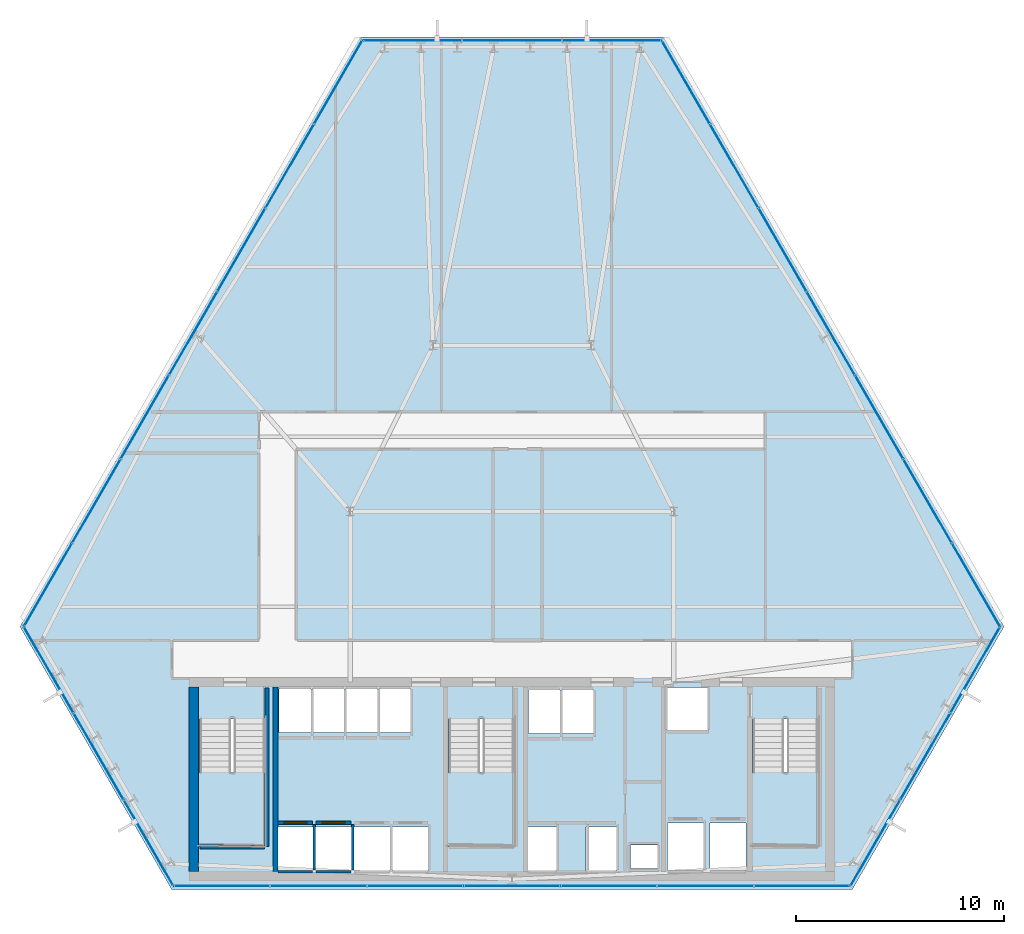
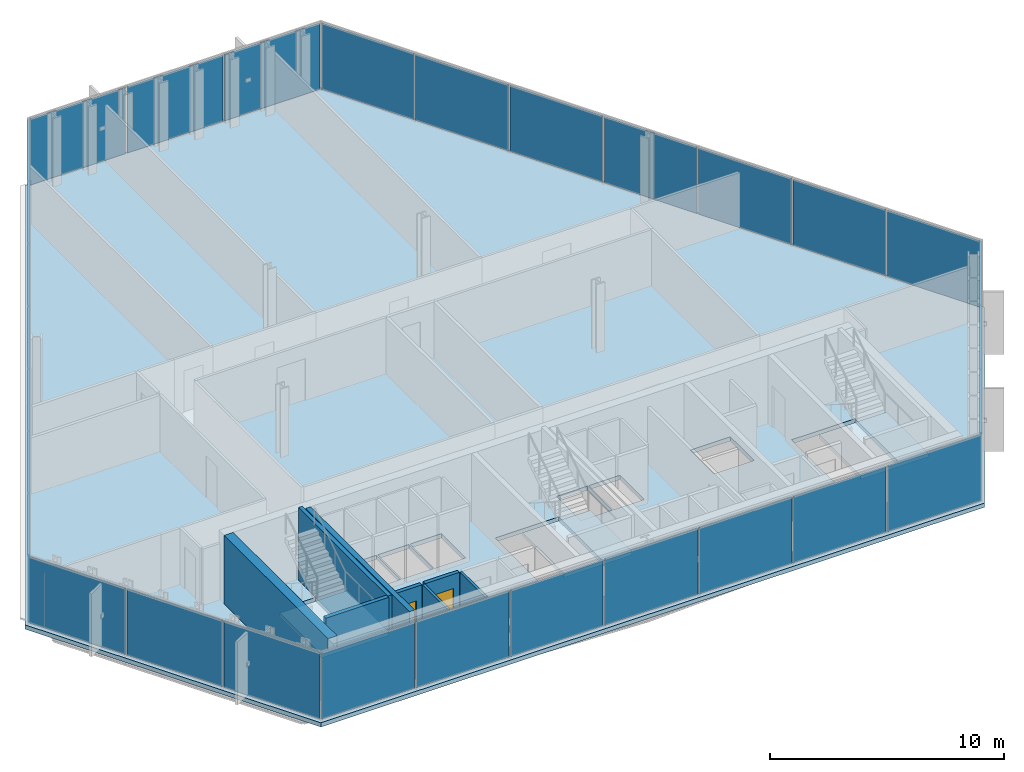
# One storey, part 26 of 33: 30 plates, 10 walls, 4 slabs, 2 doors, 2 openings, 9 elements without a shape of their own.
"""IFC4 building model written with IfcOpenShell, lengths in metres."""

import ifcopenshell
import ifcopenshell.guid

model = None  # the IFC model being written
_history = None  # IfcOwnerHistory: only IFC2X3 demands one
_inside = {}  # id of a spatial element -> (the spatial element, [elements in it])
_under = {}  # id of a project, library or spatial element -> (it, [spatial elements below it])
_declared = {}  # id of a project -> (the project, [libraries it declares])
_typed = {}  # id of a type object -> (the type object, [elements of that type])
_made_of = {}  # id of a material, layer set ... -> (it, [elements and type objects made of it])


def new_model(schema):
    """Start an empty IFC model of exactly this schema.

    Asked for "IFC4X3", IfcOpenShell would pick the latest addendum, in which some entities
    have other attributes; the version numbers below select the first issue.
    IFC2X3 requires an IfcOwnerHistory on every rooted entity: one is made here for all.
    """
    global model, _history
    if schema == "IFC4X3":
        model = ifcopenshell.file(schema_version=(4, 3, 0, 0))
    else:
        model = ifcopenshell.file(schema=schema)
    _inside.clear()
    _under.clear()
    _declared.clear()
    _typed.clear()
    _made_of.clear()
    _history = None
    if model.schema == "IFC2X3":
        org = make("IfcOrganization", Name="unknown")
        user = make(
            "IfcPersonAndOrganization",
            ThePerson=make("IfcPerson", FamilyName="unknown"),
            TheOrganization=org,
        )
        app = make(
            "IfcApplication",
            ApplicationDeveloper=org,
            Version="unknown",
            ApplicationFullName="unknown",
            ApplicationIdentifier="unknown",
        )
        _history = make(
            "IfcOwnerHistory",
            OwningUser=user,
            OwningApplication=app,
            ChangeAction="ADDED",
            CreationDate=0,
        )
    return model


def make(cls, **values):
    """One entity of the class cls with the attributes given. An attribute that is None is left unset."""
    return model.create_entity(
        cls, **{name: value for name, value in values.items() if value is not None}
    )


def rooted(cls, **values):
    """An entity with a GlobalId (a new one), such as an element, a storey or a relation."""
    return make(cls, GlobalId=ifcopenshell.guid.new(), OwnerHistory=_history, **values)


def si_unit(unit_type, name, prefix=None):
    """IfcSIUnit, for example si_unit("LENGTHUNIT", "METRE", prefix="MILLI")."""
    return make("IfcSIUnit", UnitType=unit_type, Prefix=prefix, Name=name)


def assignment(units):
    """IfcUnitAssignment: the units of a project."""
    return None if units is None else make("IfcUnitAssignment", Units=units)


def point(xyz):
    """IfcCartesianPoint."""
    return None if xyz is None else make("IfcCartesianPoint", Coordinates=xyz)


def direction(xyz):
    """IfcDirection."""
    return None if xyz is None else make("IfcDirection", DirectionRatios=xyz)


def frame(location, z_axis=None, x_axis=None):
    """IfcAxis2Placement3D, a coordinate frame: its origin and axes. An axis left out is left unset."""
    return make(
        "IfcAxis2Placement3D",
        Location=point(location),
        Axis=direction(z_axis),
        RefDirection=direction(x_axis),
    )


def frame_2d(location, x_axis=None):
    """IfcAxis2Placement2D, a coordinate frame in the plane: its origin and x axis."""
    return make(
        "IfcAxis2Placement2D", Location=point(location), RefDirection=direction(x_axis)
    )


def origin():
    """The frame at (0, 0, 0) with its axes left unset."""
    return frame((0.0, 0.0, 0.0))


def origin_2d():
    """The frame at (0, 0) in the plane with its x axis left unset."""
    return frame_2d((0.0, 0.0))


def place(relative_to, where):
    """IfcLocalPlacement: puts the frame where relative to a parent placement (None: the world)."""
    return make(
        "IfcLocalPlacement", PlacementRelTo=relative_to, RelativePlacement=where
    )


def context(
    kind, dimensions, precision=None, world=None, true_north=None, identifier=None
):
    """IfcGeometricRepresentationContext, for example the 3D "Model" context."""
    return make(
        "IfcGeometricRepresentationContext",
        ContextIdentifier=identifier,
        ContextType=kind,
        CoordinateSpaceDimension=dimensions,
        Precision=precision,
        WorldCoordinateSystem=world,
        TrueNorth=true_north,
    )


def subcontext(parent, identifier, kind, view, scale=None):
    """IfcGeometricRepresentationSubContext, for example "Body" below "Model"."""
    return make(
        "IfcGeometricRepresentationSubContext",
        ContextIdentifier=identifier,
        ContextType=kind,
        ParentContext=parent,
        TargetScale=scale,
        TargetView=view,
    )


def project(units=None, contexts=None):
    """IfcProject with its units and contexts."""
    return rooted(
        "IfcProject",
        Name="project",
        RepresentationContexts=contexts,
        UnitsInContext=assignment(units),
    )


def spatial(cls, under=None, at=None, **own):
    """A site, building, storey or space (cls), placed at a placement, below another one or the project."""
    s = rooted(cls, ObjectPlacement=at, **own)
    if under is not None:
        _under.setdefault(under.id(), (under, []))[1].append(s)
    return s


def polyline(points):
    """IfcPolyline through the points."""
    return make("IfcPolyline", Points=[point(p) for p in points])


def profile(cls, at=None, kind="AREA", **sizes):
    """A parametric profile (cls). Its sizes go by their IFC names, for example OverallWidth=200.0."""
    return make(cls, ProfileType=kind, Position=at, **sizes)


def rectangle(**sizes):
    """IfcRectangleProfileDef."""
    return profile("IfcRectangleProfileDef", **sizes)


def outline(outer, holes=None, kind="AREA"):
    """IfcArbitraryClosedProfileDef: a profile drawn as a closed curve; with holes, ...WithVoids."""
    if holes is None:
        return make("IfcArbitraryClosedProfileDef", ProfileType=kind, OuterCurve=outer)
    return make(
        "IfcArbitraryProfileDefWithVoids",
        ProfileType=kind,
        OuterCurve=outer,
        InnerCurves=holes,
    )


def extrude(swept, where, along, depth):
    """IfcExtrudedAreaSolid: the profile swept, set in the frame where, extruded along a direction by depth."""
    return make(
        "IfcExtrudedAreaSolid",
        SweptArea=swept,
        Position=where,
        ExtrudedDirection=direction(along),
        Depth=depth,
    )


def shape(context_of_items, identifier, shape_type, items):
    """IfcShapeRepresentation: the items that make up one representation, for example the "Body"."""
    return make(
        "IfcShapeRepresentation",
        ContextOfItems=context_of_items,
        RepresentationIdentifier=identifier,
        RepresentationType=shape_type,
        Items=items,
    )


def material(Name=None, Category=None):
    """IfcMaterial."""
    return make("IfcMaterial", Name=Name, Category=Category)


def layer(
    of_material, thickness, ventilated=None, Name=None, Category=None, Priority=None
):
    """IfcMaterialLayer: one layer of a wall or slab, of a material (None: an air gap)."""
    return make(
        "IfcMaterialLayer",
        Material=of_material,
        LayerThickness=thickness,
        IsVentilated=ventilated,
        Name=Name,
        Category=Category,
        Priority=Priority,
    )


def layer_set(layers, Name=None):
    """IfcMaterialLayerSet."""
    return make("IfcMaterialLayerSet", MaterialLayers=layers, LayerSetName=Name)


def made_of(thing, what):
    """Note that an element or type object is made of a material, layer set ...; save() writes the relation."""
    if what is not None:
        _made_of.setdefault(what.id(), (what, []))[1].append(thing)
    return thing


def type_object(cls, material=None, **own):
    """A type object (cls), such as IfcWallType, which elements share."""
    return made_of(rooted(cls, **own), material)


def element(
    cls,
    number,
    at=None,
    inside=None,
    cuts=None,
    type_object=None,
    material=None,
    context=None,
    identifier="Body",
    shape_type=None,
    held_by="IfcProductDefinitionShape",
    body=None,
    shapes=None,
    **own,
):
    """One element of the class cls, such as IfcWall. Its Tag is "e" and its number.

    at: its placement. inside: the storey or other place that contains it. cuts: it is an
    opening in that element (IfcRelVoidsElement). A single representation is given by context,
    identifier, shape_type and body (its items); several are given by shapes. held_by: the class
    of the entity that holds the representations. save() writes the other relations.
    """
    e = rooted(cls, Tag="e%d" % number, ObjectPlacement=at, **own)
    if body is not None:
        shapes = [shape(context, identifier, shape_type, body)]
    if shapes is not None:
        e.Representation = make(held_by, Representations=shapes)
    if inside is not None:
        _inside.setdefault(inside.id(), (inside, []))[1].append(e)
    if cuts is not None:
        rooted(
            "IfcRelVoidsElement", RelatingBuildingElement=cuts, RelatedOpeningElement=e
        )
    if type_object is not None:
        _typed.setdefault(type_object.id(), (type_object, []))[1].append(e)
    return made_of(e, material)


def fill(opening, filler):
    """IfcRelFillsElement: the door or window that sits in an opening."""
    return rooted(
        "IfcRelFillsElement",
        RelatingOpeningElement=opening,
        RelatedBuildingElement=filler,
    )


def aggregate(whole, parts):
    """IfcRelAggregates: a whole, such as a stair, and the parts it consists of."""
    return rooted("IfcRelAggregates", RelatingObject=whole, RelatedObjects=parts)


def save(model, path):
    """Write the relations noted so far, then the file.

    IfcRelAggregates (storeys below a building ...), IfcRelContainedInSpatialStructure (elements
    in a storey), IfcRelDefinesByType, IfcRelAssociatesMaterial and IfcRelDeclares: one each for
    every whole, place, type object, material and project.
    """
    for whole, parts in _under.values():
        aggregate(whole, parts)
    for where, things in _inside.values():
        rooted(
            "IfcRelContainedInSpatialStructure",
            RelatedElements=things,
            RelatingStructure=where,
        )
    for kind, things in _typed.values():
        rooted("IfcRelDefinesByType", RelatedObjects=things, RelatingType=kind)
    for what, things in _made_of.values():
        rooted("IfcRelAssociatesMaterial", RelatedObjects=things, RelatingMaterial=what)
    for by, libraries in _declared.values():
        rooted("IfcRelDeclares", RelatingContext=by, RelatedDefinitions=libraries)
    model.write(path)


model = new_model("IFC4")

# Units and contexts
model_context = context("Model", 3, precision=1e-05, world=origin(), true_north=direction((0.0, 1.0)))
body_context = subcontext(model_context, "Body", "Model", "MODEL_VIEW")
ifc_project = project(units=[si_unit("LENGTHUNIT", "METRE"), si_unit("AREAUNIT", "SQUARE_METRE"), si_unit("VOLUMEUNIT", "CUBIC_METRE"), si_unit("PLANEANGLEUNIT", "RADIAN"), si_unit("MASSUNIT", "GRAM", prefix="KILO")], contexts=[model_context])

# Site, building, storey
site_placement = place(None, origin())
site = spatial("IfcSite", under=ifc_project, at=site_placement, CompositionType="ELEMENT")
building_placement = place(site_placement, origin())
building = spatial("IfcBuilding", under=site, at=building_placement, Name="Ndaravel Arena Tower", CompositionType="ELEMENT")
storey_placement = place(building_placement, frame((0.0, 0.0, 81.60009765625)))
storey = spatial("IfcBuildingStorey", under=building, at=storey_placement, Name="L18", CompositionType="ELEMENT", Elevation=81.60009765625)

# Curtain wall, plate
ifc_material_1 = material(Name="Aluminium", Category="aluminium")
ifc_layer_1 = layer(ifc_material_1, 0.179931640625)
ifc_layer_set_1 = layer_set([ifc_layer_1], Name="Aluminium")
curtain_wall_type_1 = type_object("IfcCurtainWallType", Name="CW-SYS-01", PredefinedType="NOTDEFINED", material=ifc_layer_set_1)
curtain_wall_1_placement = place(storey_placement, origin())
curtain_wall_1 = element("IfcCurtainWall", 1, at=curtain_wall_1_placement, inside=storey, type_object=curtain_wall_type_1, Name="L18 Faceted Crystal Curtain Wall CW-L18-E02", PredefinedType="NOTDEFINED")
ifc_material_2 = material(Name="Glazing", Category="glass")
ifc_layer_2 = layer(ifc_material_2, 0.035888671875)
ifc_layer_set_2 = layer_set([ifc_layer_2], Name="Glazing")
plate_type_1 = type_object("IfcPlateType", Name="PLT-CW-OPVENT", PredefinedType="CURTAIN_PANEL", material=ifc_layer_set_2)
plate_1_placement = place(storey_placement, frame((61.913818359375, 11.404052734375, 0.059814453125), z_axis=(0.0, 0.0, 1.0), x_axis=(0.5, 0.866025403784, 0.0)))
plate_1 = element("IfcPlate", 2, at=plate_1_placement, type_object=plate_type_1, Name="CW-L18-E02 Operable Vent Sash Panel 02", PredefinedType="CURTAIN_PANEL", context=body_context, shape_type="SweptSolid", body=[
    extrude(rectangle(XDim=4.7265625, YDim=0.035888671875, at=origin_2d()), origin(), (0.0, 0.0, 1.0), 3.4599609375),
])

curtain_wall_2_placement = place(storey_placement, origin())
curtain_wall_2 = element("IfcCurtainWall", 3, at=curtain_wall_2_placement, inside=storey, type_object=curtain_wall_type_1, Name="L18 Faceted Crystal Curtain Wall CW-L18-E04", PredefinedType="NOTDEFINED")
plate_2_placement = place(storey_placement, frame((42.0, 45.89599609375, 0.059814453125), z_axis=(0.0, 0.0, 1.0), x_axis=(-1.0, 0.0, 0.0)))
plate_2 = element("IfcPlate", 4, at=plate_2_placement, type_object=plate_type_1, Name="CW-L18-E04 Operable Vent Sash Panel 02", PredefinedType="CURTAIN_PANEL", context=body_context, shape_type="SweptSolid", body=[
    extrude(rectangle(XDim=4.7265625, YDim=0.035888671875, at=origin_2d()), origin(), (0.0, 0.0, 1.0), 3.4599609375),
])

ifc_material_3 = material(Name="Aluminium", Category="aluminium")
ifc_layer_3 = layer(ifc_material_3, 0.179931640625)
ifc_layer_set_3 = layer_set([ifc_layer_3], Name="Aluminium")
curtain_wall_type_2 = type_object("IfcCurtainWallType", Name="CW-SYS-02", PredefinedType="NOTDEFINED", material=ifc_layer_set_3)
curtain_wall_3_placement = place(storey_placement, origin())
curtain_wall_3 = element("IfcCurtainWall", 5, at=curtain_wall_3_placement, inside=storey, type_object=curtain_wall_type_2, Name="L18 Faceted Crystal Curtain Wall CW-L18-E06", PredefinedType="NOTDEFINED")
plate_3_placement = place(storey_placement, frame((22.086181640625, 11.40380859375, 0.059814453125), z_axis=(0.0, 0.0, 1.0), x_axis=(0.5, -0.866025403784, 0.0)))
plate_3 = element("IfcPlate", 6, at=plate_3_placement, type_object=plate_type_1, Name="CW-L18-E06 Operable Vent Sash Panel 02", PredefinedType="CURTAIN_PANEL", context=body_context, shape_type="SweptSolid", body=[
    extrude(rectangle(XDim=4.7265625, YDim=0.035888671875, at=origin_2d()), origin(), (0.0, 0.0, 1.0), 3.4599609375),
])

# Plate
ifc_material_4 = material(Name="Glazing", Category="glass")
ifc_layer_4 = layer(ifc_material_4, 0.031982421875)
ifc_layer_set_4 = layer_set([ifc_layer_4], Name="Glazing")
plate_type_2 = type_object("IfcPlateType", Name="PLT-GLZ-FRIT35", PredefinedType="CURTAIN_PANEL", material=ifc_layer_set_4)
plate_4_placement = place(storey_placement, frame((59.510498046875, 7.2412109375, 0.059814453125), z_axis=(0.0, 0.0, 1.0), x_axis=(0.5, 0.866025403784, 0.0)))
plate_4 = element("IfcPlate", 7, at=plate_4_placement, type_object=plate_type_2, Name="CW-L18-E02 Vision Glass Panel 01", PredefinedType="CURTAIN_PANEL", context=body_context, shape_type="SweptSolid", body=[
    extrude(rectangle(XDim=4.7265625, YDim=0.035888671875, at=origin_2d()), origin(), (0.0, 0.0, 1.0), 3.4599609375),
])

plate_5_placement = place(storey_placement, frame((64.317138671875, 15.566650390625, 0.059814453125), z_axis=(0.0, 0.0, 1.0), x_axis=(0.5, 0.866025403784, 0.0)))
plate_5 = element("IfcPlate", 8, at=plate_5_placement, type_object=plate_type_2, Name="CW-L18-E02 Vision Glass Panel 03", PredefinedType="CURTAIN_PANEL", context=body_context, shape_type="SweptSolid", body=[
    extrude(rectangle(XDim=4.7265625, YDim=0.035888671875, at=origin_2d()), origin(), (0.0, 0.0, 1.0), 3.4599609375),
])

aggregate(curtain_wall_1, [plate_4, plate_1, plate_5])

plate_6_placement = place(storey_placement, frame((46.806640625, 45.89599609375, 0.059814453125), z_axis=(0.0, 0.0, 1.0), x_axis=(-1.0, 0.0, 0.0)))
plate_6 = element("IfcPlate", 9, at=plate_6_placement, type_object=plate_type_2, Name="CW-L18-E04 Vision Glass Panel 01", PredefinedType="CURTAIN_PANEL", context=body_context, shape_type="SweptSolid", body=[
    extrude(rectangle(XDim=4.7265625, YDim=0.035888671875, at=origin_2d()), origin(), (0.0, 0.0, 1.0), 3.4599609375),
])

plate_7_placement = place(storey_placement, frame((37.193359375, 45.89599609375, 0.059814453125), z_axis=(0.0, 0.0, 1.0), x_axis=(-1.0, 0.0, 0.0)))
plate_7 = element("IfcPlate", 10, at=plate_7_placement, type_object=plate_type_2, Name="CW-L18-E04 Vision Glass Panel 03", PredefinedType="CURTAIN_PANEL", context=body_context, shape_type="SweptSolid", body=[
    extrude(rectangle(XDim=4.7265625, YDim=0.035888671875, at=origin_2d()), origin(), (0.0, 0.0, 1.0), 3.4599609375),
])

aggregate(curtain_wall_2, [plate_6, plate_2, plate_7])

ifc_material_5 = material(Name="Glazing", Category="glass")
ifc_layer_5 = layer(ifc_material_5, 0.035888671875)
ifc_layer_set_5 = layer_set([ifc_layer_5], Name="Glazing")
plate_type_3 = type_object("IfcPlateType", Name="PLT-GLZ-FRIT55", PredefinedType="CURTAIN_PANEL", material=ifc_layer_set_5)
plate_8_placement = place(storey_placement, frame((19.682861328125, 15.566650390625, 0.059814453125), z_axis=(0.0, 0.0, 1.0), x_axis=(0.5, -0.866025403784, 0.0)))
plate_8 = element("IfcPlate", 11, at=plate_8_placement, type_object=plate_type_3, Name="CW-L18-E06 Vision Glass Panel 01", PredefinedType="CURTAIN_PANEL", context=body_context, shape_type="SweptSolid", body=[
    extrude(rectangle(XDim=4.7265625, YDim=0.035888671875, at=origin_2d()), origin(), (0.0, 0.0, 1.0), 3.4599609375),
])

plate_9_placement = place(storey_placement, frame((24.489501953125, 7.2412109375, 0.059814453125), z_axis=(0.0, 0.0, 1.0), x_axis=(0.5, -0.866025403784, 0.0)))
plate_9 = element("IfcPlate", 12, at=plate_9_placement, type_object=plate_type_3, Name="CW-L18-E06 Vision Glass Panel 03", PredefinedType="CURTAIN_PANEL", context=body_context, shape_type="SweptSolid", body=[
    extrude(rectangle(XDim=4.7265625, YDim=0.035888671875, at=origin_2d()), origin(), (0.0, 0.0, 1.0), 3.4599609375),
])

aggregate(curtain_wall_3, [plate_8, plate_3, plate_9])

# Curtain wall, plates
ifc_material_6 = material(Name="Aluminium", Category="aluminium")
ifc_layer_6 = layer(ifc_material_6, 0.179931640625)
ifc_layer_set_6 = layer_set([ifc_layer_6], Name="Aluminium")
curtain_wall_type_3 = type_object("IfcCurtainWallType", Name="CW-SYS-03", PredefinedType="NOTDEFINED", material=ifc_layer_set_6)
curtain_wall_4_placement = place(storey_placement, origin())
curtain_wall_4 = element("IfcCurtainWall", 13, at=curtain_wall_4_placement, inside=storey, type_object=curtain_wall_type_3, Name="L18 Faceted Crystal Curtain Wall CW-L18-E01", PredefinedType="NOTDEFINED")
ifc_material_7 = material(Name="Glazing", Category="glass")
ifc_layer_7 = layer(ifc_material_7, 0.0400390625)
ifc_layer_set_7 = layer_set([ifc_layer_7], Name="Glazing")
plate_type_4 = type_object("IfcPlateType", Name="PLT-GLZ-LOWIRON", PredefinedType="CURTAIN_PANEL", material=ifc_layer_set_7)
plate_10_placement = place(storey_placement, frame((28.02099609375, 5.159912109375, 0.059814453125), z_axis=(0.0, 0.0, 1.0), x_axis=(1.0, 0.0, 0.0)))
plate_10 = element("IfcPlate", 14, at=plate_10_placement, type_object=plate_type_4, Name="CW-L18-E01 Vision Glass Panel 01", PredefinedType="CURTAIN_PANEL", context=body_context, shape_type="SweptSolid", body=[
    extrude(rectangle(XDim=4.57958984375, YDim=0.035888671875, at=origin_2d()), origin(), (0.0, 0.0, 1.0), 3.4599609375),
])
plate_11_placement = place(storey_placement, frame((32.6806640625, 5.159912109375, 0.059814453125), z_axis=(0.0, 0.0, 1.0), x_axis=(1.0, 0.0, 0.0)))
plate_11 = element("IfcPlate", 15, at=plate_11_placement, type_object=plate_type_4, Name="CW-L18-E01 Vision Glass Panel 02", PredefinedType="CURTAIN_PANEL", context=body_context, shape_type="SweptSolid", body=[
    extrude(rectangle(XDim=4.57958984375, YDim=0.035888671875, at=origin_2d()), origin(), (0.0, 0.0, 1.0), 3.4599609375),
])
plate_12_placement = place(storey_placement, frame((37.34033203125, 5.159912109375, 0.059814453125), z_axis=(0.0, 0.0, 1.0), x_axis=(1.0, 0.0, 0.0)))
plate_12 = element("IfcPlate", 16, at=plate_12_placement, type_object=plate_type_4, Name="CW-L18-E01 Vision Glass Panel 03", PredefinedType="CURTAIN_PANEL", context=body_context, shape_type="SweptSolid", body=[
    extrude(rectangle(XDim=4.57958984375, YDim=0.035888671875, at=origin_2d()), origin(), (0.0, 0.0, 1.0), 3.4599609375),
])
plate_13_placement = place(storey_placement, frame((42.0, 5.159912109375, 0.059814453125), z_axis=(0.0, 0.0, 1.0), x_axis=(1.0, 0.0, 0.0)))
plate_13 = element("IfcPlate", 17, at=plate_13_placement, type_object=plate_type_4, Name="CW-L18-E01 Vision Glass Panel 04", PredefinedType="CURTAIN_PANEL", context=body_context, shape_type="SweptSolid", body=[
    extrude(rectangle(XDim=4.57958984375, YDim=0.035888671875, at=origin_2d()), origin(), (0.0, 0.0, 1.0), 3.4599609375),
])
plate_14_placement = place(storey_placement, frame((46.65966796875, 5.159912109375, 0.059814453125), z_axis=(0.0, 0.0, 1.0), x_axis=(1.0, 0.0, 0.0)))
plate_14 = element("IfcPlate", 18, at=plate_14_placement, type_object=plate_type_4, Name="CW-L18-E01 Vision Glass Panel 05", PredefinedType="CURTAIN_PANEL", context=body_context, shape_type="SweptSolid", body=[
    extrude(rectangle(XDim=4.57958984375, YDim=0.035888671875, at=origin_2d()), origin(), (0.0, 0.0, 1.0), 3.4599609375),
])
plate_15_placement = place(storey_placement, frame((51.3193359375, 5.159912109375, 0.059814453125), z_axis=(0.0, 0.0, 1.0), x_axis=(1.0, 0.0, 0.0)))
plate_15 = element("IfcPlate", 19, at=plate_15_placement, type_object=plate_type_4, Name="CW-L18-E01 Vision Glass Panel 06", PredefinedType="CURTAIN_PANEL", context=body_context, shape_type="SweptSolid", body=[
    extrude(rectangle(XDim=4.57958984375, YDim=0.035888671875, at=origin_2d()), origin(), (0.0, 0.0, 1.0), 3.4599609375),
])
plate_16_placement = place(storey_placement, frame((55.97900390625, 5.159912109375, 0.059814453125), z_axis=(0.0, 0.0, 1.0), x_axis=(1.0, 0.0, 0.0)))
plate_16 = element("IfcPlate", 20, at=plate_16_placement, type_object=plate_type_4, Name="CW-L18-E01 Vision Glass Panel 07", PredefinedType="CURTAIN_PANEL", context=body_context, shape_type="SweptSolid", body=[
    extrude(rectangle(XDim=4.57958984375, YDim=0.035888671875, at=origin_2d()), origin(), (0.0, 0.0, 1.0), 3.4599609375),
])
aggregate(curtain_wall_4, [plate_10, plate_11, plate_12, plate_13, plate_14, plate_15, plate_16])

curtain_wall_5_placement = place(storey_placement, origin())
curtain_wall_5 = element("IfcCurtainWall", 21, at=curtain_wall_5_placement, inside=storey, type_object=curtain_wall_type_3, Name="L18 Faceted Crystal Curtain Wall CW-L18-E03", PredefinedType="NOTDEFINED")
plate_17_placement = place(storey_placement, frame((64.35400390625, 19.66552734375, 0.059814453125), z_axis=(0.0, 0.0, 1.0), x_axis=(-0.5, 0.866025403784, 0.0)))
plate_17 = element("IfcPlate", 22, at=plate_17_placement, type_object=plate_type_4, Name="CW-L18-E03 Vision Glass Panel 01", PredefinedType="CURTAIN_PANEL", context=body_context, shape_type="SweptSolid", body=[
    extrude(rectangle(XDim=4.57958984375, YDim=0.035888671875, at=origin_2d()), origin(), (0.0, 0.0, 1.0), 3.4599609375),
])
plate_18_placement = place(storey_placement, frame((62.02392578125, 23.700927734375, 0.059814453125), z_axis=(0.0, 0.0, 1.0), x_axis=(-0.5, 0.866025403784, 0.0)))
plate_18 = element("IfcPlate", 23, at=plate_18_placement, type_object=plate_type_4, Name="CW-L18-E03 Vision Glass Panel 02", PredefinedType="CURTAIN_PANEL", context=body_context, shape_type="SweptSolid", body=[
    extrude(rectangle(XDim=4.57958984375, YDim=0.035888671875, at=origin_2d()), origin(), (0.0, 0.0, 1.0), 3.4599609375),
])
plate_19_placement = place(storey_placement, frame((59.694091796875, 27.736572265625, 0.059814453125), z_axis=(0.0, 0.0, 1.0), x_axis=(-0.5, 0.866025403784, 0.0)))
plate_19 = element("IfcPlate", 24, at=plate_19_placement, type_object=plate_type_4, Name="CW-L18-E03 Vision Glass Panel 03", PredefinedType="CURTAIN_PANEL", context=body_context, shape_type="SweptSolid", body=[
    extrude(rectangle(XDim=4.57958984375, YDim=0.035888671875, at=origin_2d()), origin(), (0.0, 0.0, 1.0), 3.4599609375),
])
plate_20_placement = place(storey_placement, frame((57.364501953125, 31.77197265625, 0.059814453125), z_axis=(0.0, 0.0, 1.0), x_axis=(-0.5, 0.866025403784, 0.0)))
plate_20 = element("IfcPlate", 25, at=plate_20_placement, type_object=plate_type_4, Name="CW-L18-E03 Vision Glass Panel 04", PredefinedType="CURTAIN_PANEL", context=body_context, shape_type="SweptSolid", body=[
    extrude(rectangle(XDim=4.57958984375, YDim=0.035888671875, at=origin_2d()), origin(), (0.0, 0.0, 1.0), 3.4599609375),
])
plate_21_placement = place(storey_placement, frame((55.034423828125, 35.807373046875, 0.059814453125), z_axis=(0.0, 0.0, 1.0), x_axis=(-0.5, 0.866025403784, 0.0)))
plate_21 = element("IfcPlate", 26, at=plate_21_placement, type_object=plate_type_4, Name="CW-L18-E03 Vision Glass Panel 05", PredefinedType="CURTAIN_PANEL", context=body_context, shape_type="SweptSolid", body=[
    extrude(rectangle(XDim=4.57958984375, YDim=0.035888671875, at=origin_2d()), origin(), (0.0, 0.0, 1.0), 3.4599609375),
])
plate_22_placement = place(storey_placement, frame((52.70458984375, 39.8427734375, 0.059814453125), z_axis=(0.0, 0.0, 1.0), x_axis=(-0.5, 0.866025403784, 0.0)))
plate_22 = element("IfcPlate", 27, at=plate_22_placement, type_object=plate_type_4, Name="CW-L18-E03 Vision Glass Panel 06", PredefinedType="CURTAIN_PANEL", context=body_context, shape_type="SweptSolid", body=[
    extrude(rectangle(XDim=4.57958984375, YDim=0.035888671875, at=origin_2d()), origin(), (0.0, 0.0, 1.0), 3.4599609375),
])
plate_23_placement = place(storey_placement, frame((50.374755859375, 43.878173828125, 0.059814453125), z_axis=(0.0, 0.0, 1.0), x_axis=(-0.5, 0.866025403784, 0.0)))
plate_23 = element("IfcPlate", 28, at=plate_23_placement, type_object=plate_type_4, Name="CW-L18-E03 Vision Glass Panel 07", PredefinedType="CURTAIN_PANEL", context=body_context, shape_type="SweptSolid", body=[
    extrude(rectangle(XDim=4.57958984375, YDim=0.035888671875, at=origin_2d()), origin(), (0.0, 0.0, 1.0), 3.4599609375),
])
aggregate(curtain_wall_5, [plate_17, plate_18, plate_19, plate_20, plate_21, plate_22, plate_23])

curtain_wall_6_placement = place(storey_placement, origin())
curtain_wall_6 = element("IfcCurtainWall", 29, at=curtain_wall_6_placement, inside=storey, type_object=curtain_wall_type_3, Name="L18 Faceted Crystal Curtain Wall CW-L18-E05", PredefinedType="NOTDEFINED")
plate_24_placement = place(storey_placement, frame((33.625244140625, 43.878173828125, 0.059814453125), z_axis=(0.0, 0.0, 1.0), x_axis=(-0.5, -0.866025403784, 0.0)))
plate_24 = element("IfcPlate", 30, at=plate_24_placement, type_object=plate_type_4, Name="CW-L18-E05 Vision Glass Panel 01", PredefinedType="CURTAIN_PANEL", context=body_context, shape_type="SweptSolid", body=[
    extrude(rectangle(XDim=4.57958984375, YDim=0.035888671875, at=origin_2d()), origin(), (0.0, 0.0, 1.0), 3.4599609375),
])
plate_25_placement = place(storey_placement, frame((31.29541015625, 39.8427734375, 0.059814453125), z_axis=(0.0, 0.0, 1.0), x_axis=(-0.5, -0.866025403784, 0.0)))
plate_25 = element("IfcPlate", 31, at=plate_25_placement, type_object=plate_type_4, Name="CW-L18-E05 Vision Glass Panel 02", PredefinedType="CURTAIN_PANEL", context=body_context, shape_type="SweptSolid", body=[
    extrude(rectangle(XDim=4.57958984375, YDim=0.035888671875, at=origin_2d()), origin(), (0.0, 0.0, 1.0), 3.4599609375),
])
plate_26_placement = place(storey_placement, frame((28.965576171875, 35.807373046875, 0.059814453125), z_axis=(0.0, 0.0, 1.0), x_axis=(-0.5, -0.866025403784, 0.0)))
plate_26 = element("IfcPlate", 32, at=plate_26_placement, type_object=plate_type_4, Name="CW-L18-E05 Vision Glass Panel 03", PredefinedType="CURTAIN_PANEL", context=body_context, shape_type="SweptSolid", body=[
    extrude(rectangle(XDim=4.57958984375, YDim=0.035888671875, at=origin_2d()), origin(), (0.0, 0.0, 1.0), 3.4599609375),
])
plate_27_placement = place(storey_placement, frame((26.6357421875, 31.77197265625, 0.059814453125), z_axis=(0.0, 0.0, 1.0), x_axis=(-0.5, -0.866025403784, 0.0)))
plate_27 = element("IfcPlate", 33, at=plate_27_placement, type_object=plate_type_4, Name="CW-L18-E05 Vision Glass Panel 04", PredefinedType="CURTAIN_PANEL", context=body_context, shape_type="SweptSolid", body=[
    extrude(rectangle(XDim=4.57958984375, YDim=0.035888671875, at=origin_2d()), origin(), (0.0, 0.0, 1.0), 3.4599609375),
])
plate_28_placement = place(storey_placement, frame((24.305908203125, 27.736572265625, 0.059814453125), z_axis=(0.0, 0.0, 1.0), x_axis=(-0.5, -0.866025403784, 0.0)))
plate_28 = element("IfcPlate", 34, at=plate_28_placement, type_object=plate_type_4, Name="CW-L18-E05 Vision Glass Panel 05", PredefinedType="CURTAIN_PANEL", context=body_context, shape_type="SweptSolid", body=[
    extrude(rectangle(XDim=4.57958984375, YDim=0.035888671875, at=origin_2d()), origin(), (0.0, 0.0, 1.0), 3.4599609375),
])
plate_29_placement = place(storey_placement, frame((21.97607421875, 23.700927734375, 0.059814453125), z_axis=(0.0, 0.0, 1.0), x_axis=(-0.5, -0.866025403784, 0.0)))
plate_29 = element("IfcPlate", 35, at=plate_29_placement, type_object=plate_type_4, Name="CW-L18-E05 Vision Glass Panel 06", PredefinedType="CURTAIN_PANEL", context=body_context, shape_type="SweptSolid", body=[
    extrude(rectangle(XDim=4.57958984375, YDim=0.035888671875, at=origin_2d()), origin(), (0.0, 0.0, 1.0), 3.4599609375),
])
plate_30_placement = place(storey_placement, frame((19.64599609375, 19.66552734375, 0.059814453125), z_axis=(0.0, 0.0, 1.0), x_axis=(-0.5, -0.866025403784, 0.0)))
plate_30 = element("IfcPlate", 36, at=plate_30_placement, type_object=plate_type_4, Name="CW-L18-E05 Vision Glass Panel 07", PredefinedType="CURTAIN_PANEL", context=body_context, shape_type="SweptSolid", body=[
    extrude(rectangle(XDim=4.57958984375, YDim=0.035888671875, at=origin_2d()), origin(), (0.0, 0.0, 1.0), 3.4599609375),
])
aggregate(curtain_wall_6, [plate_24, plate_25, plate_26, plate_27, plate_28, plate_29, plate_30])

# Stair, slab
ifc_material_8 = material(Name="Concrete C40/50", Category="concrete")
stair_type = type_object("IfcStairType", Name="STAIR-CORE-HT", PredefinedType="HALF_TURN_STAIR", material=ifc_material_8)
stair_1_placement = place(storey_placement, origin())
stair_1 = element("IfcStair", 37, at=stair_1_placement, inside=storey, type_object=stair_type, Name="L18 ST-1", PredefinedType="HALF_TURN_STAIR")
ifc_material_9 = material(Name="Concrete C40/50", Category="concrete")
ifc_layer_8 = layer(ifc_material_9, 0.199951171875)
ifc_layer_set_8 = layer_set([ifc_layer_8], Name="Concrete C40/50")
slab_type_1 = type_object("IfcSlabType", Name="SLAB-STAIR-LANDING", PredefinedType="LANDING", material=ifc_layer_set_8)
slab_1_placement = place(storey_placement, frame((0.0, 0.0, 1.699951171875)))
slab_1 = element("IfcSlab", 38, at=slab_1_placement, type_object=slab_type_1, Name="ST-1 landing 1", PredefinedType="LANDING", context=body_context, shape_type="SweptSolid", body=[
    extrude(outline(polyline([(26.81005859375, 10.6298828125), (26.81005859375, 7.070068359375), (30.169921875, 7.070068359375), (30.169921875, 10.6298828125), (26.81005859375, 10.6298828125)])), origin(), (0.0, 0.0, 1.0), 0.199951171875),
])
aggregate(stair_1, [slab_1])

stair_2_placement = place(storey_placement, origin())
stair_2 = element("IfcStair", 39, at=stair_2_placement, inside=storey, type_object=stair_type, Name="L18 ST-2", PredefinedType="HALF_TURN_STAIR")
slab_2_placement = place(storey_placement, frame((0.0, 0.0, 1.699951171875)))
slab_2 = element("IfcSlab", 40, at=slab_2_placement, type_object=slab_type_1, Name="ST-2 landing 1", PredefinedType="LANDING", context=body_context, shape_type="SweptSolid", body=[
    extrude(outline(polyline([(38.81005859375, 10.6298828125), (38.81005859375, 7.070068359375), (42.169921875, 7.070068359375), (42.169921875, 10.6298828125), (38.81005859375, 10.6298828125)])), origin(), (0.0, 0.0, 1.0), 0.199951171875),
])
aggregate(stair_2, [slab_2])

stair_3_placement = place(storey_placement, origin())
stair_3 = element("IfcStair", 41, at=stair_3_placement, inside=storey, type_object=stair_type, Name="L18 ST-3", PredefinedType="HALF_TURN_STAIR")
slab_3_placement = place(storey_placement, frame((0.0, 0.0, 1.699951171875)))
slab_3 = element("IfcSlab", 42, at=slab_3_placement, type_object=slab_type_1, Name="ST-3 landing 1", PredefinedType="LANDING", context=body_context, shape_type="SweptSolid", body=[
    extrude(outline(polyline([(53.4599609375, 10.6298828125), (53.4599609375, 7.070068359375), (56.820068359375, 7.070068359375), (56.820068359375, 10.6298828125), (53.4599609375, 10.6298828125)])), origin(), (0.0, 0.0, 1.0), 0.199951171875),
])
aggregate(stair_3, [slab_3])

# Slab
ifc_material_10 = material(Name="Concrete C40/50", Category="concrete")
ifc_layer_9 = layer(ifc_material_10, 0.219970703125)
ifc_layer_set_9 = layer_set([ifc_layer_9], Name="Concrete C40/50")
slab_type_2 = type_object("IfcSlabType", Name="SLAB-TWR-220", PredefinedType="FLOOR", material=ifc_layer_set_9)
slab_4_placement = place(storey_placement, frame((0.0, 0.0, -0.22021484375)))
element("IfcSlab", 43, at=slab_4_placement, inside=storey, type_object=slab_type_2, Name="L18 Structural Floor Slab", PredefinedType="FLOOR", context=body_context, shape_type="SweptSolid", body=[
    extrude(outline(polyline([(18.29638671875, 17.64794921875), (25.5986328125, 5.0), (58.4013671875, 5.0), (65.70361328125, 17.64794921875), (49.30224609375, 46.055908203125), (34.69775390625, 46.055908203125), (18.29638671875, 17.64794921875)]), holes=[polyline([(26.949951171875, 13.215087890625), (26.949951171875, 7.14990234375), (30.090087890625, 7.14990234375), (30.090087890625, 13.215087890625), (26.949951171875, 13.215087890625)]), polyline([(38.949951171875, 13.215087890625), (38.949951171875, 7.14990234375), (42.090087890625, 7.14990234375), (42.090087890625, 13.215087890625), (38.949951171875, 13.215087890625)]), polyline([(53.60009765625, 13.215087890625), (53.60009765625, 7.14990234375), (56.739990234375, 7.14990234375), (56.739990234375, 13.215087890625), (53.60009765625, 13.215087890625)]), polyline([(30.68505859375, 5.909912109375), (32.4150390625, 5.909912109375), (32.4150390625, 7.989990234375), (30.68505859375, 7.989990234375), (30.68505859375, 5.909912109375)]), polyline([(32.534912109375, 5.909912109375), (34.264892578125, 5.909912109375), (34.264892578125, 7.989990234375), (32.534912109375, 7.989990234375), (32.534912109375, 5.909912109375)]), polyline([(34.385009765625, 5.909912109375), (36.114990234375, 5.909912109375), (36.114990234375, 7.989990234375), (34.385009765625, 7.989990234375), (34.385009765625, 5.909912109375)]), polyline([(36.235107421875, 5.909912109375), (37.965087890625, 5.909912109375), (37.965087890625, 7.989990234375), (36.235107421875, 7.989990234375), (36.235107421875, 5.909912109375)]), polyline([(30.784912109375, 12.56005859375), (32.31494140625, 12.56005859375), (32.31494140625, 14.639892578125), (30.784912109375, 14.639892578125), (30.784912109375, 12.56005859375)]), polyline([(32.385009765625, 12.56005859375), (33.9150390625, 12.56005859375), (33.9150390625, 14.639892578125), (32.385009765625, 14.639892578125), (32.385009765625, 12.56005859375)]), polyline([(33.985107421875, 12.56005859375), (35.514892578125, 12.56005859375), (35.514892578125, 14.639892578125), (33.985107421875, 14.639892578125), (33.985107421875, 12.56005859375)]), polyline([(35.5849609375, 12.56005859375), (37.114990234375, 12.56005859375), (37.114990234375, 14.639892578125), (35.5849609375, 14.639892578125), (35.5849609375, 12.56005859375)]), polyline([(42.659912109375, 5.909912109375), (44.139892578125, 5.909912109375), (44.139892578125, 7.989990234375), (42.659912109375, 7.989990234375), (42.659912109375, 5.909912109375)]), polyline([(45.56005859375, 5.909912109375), (47.0400390625, 5.909912109375), (47.0400390625, 7.989990234375), (45.56005859375, 7.989990234375), (45.56005859375, 5.909912109375)]), polyline([(42.784912109375, 12.510009765625), (44.31494140625, 12.510009765625), (44.31494140625, 14.590087890625), (42.784912109375, 14.590087890625), (42.784912109375, 12.510009765625)]), polyline([(44.385009765625, 12.510009765625), (45.9150390625, 12.510009765625), (45.9150390625, 14.590087890625), (44.385009765625, 14.590087890625), (44.385009765625, 12.510009765625)]), polyline([(49.485107421875, 5.909912109375), (51.215087890625, 5.909912109375), (51.215087890625, 8.18994140625), (49.485107421875, 8.18994140625), (49.485107421875, 5.909912109375)]), polyline([(51.534912109375, 5.909912109375), (53.264892578125, 5.909912109375), (53.264892578125, 8.18994140625), (51.534912109375, 8.18994140625), (51.534912109375, 5.909912109375)]), polyline([(49.4599609375, 12.68505859375), (51.43994140625, 12.68505859375), (51.43994140625, 14.715087890625), (49.4599609375, 14.715087890625), (49.4599609375, 12.68505859375)]), polyline([(47.699951171875, 6.0), (49.0, 6.0), (49.0, 7.139892578125), (47.699951171875, 7.139892578125), (47.699951171875, 6.0)])]), origin(), (0.0, 0.0, 1.0), 0.22021484375),
])

# Walls
ifc_material_11 = material(Name="Concrete C60/75", Category="concrete")
ifc_layer_10 = layer(ifc_material_11, 0.25)
ifc_layer_set_10 = layer_set([ifc_layer_10], Name="Concrete C60/75")
wall_type_1 = type_object("IfcWallType", Name="WALL-CORE-250", PredefinedType="SOLIDWALL", material=ifc_layer_set_10)
wall_1_placement = place(storey_placement, frame((30.60009765625, 5.85009765625, 0.0), z_axis=(0.0, 0.0, 1.0), x_axis=(0.0, 1.0, 0.0)))
element("IfcWall", 44, at=wall_1_placement, inside=storey, type_object=wall_type_1, Name="L18 Core Web Shear Wall 1", PredefinedType="SOLIDWALL", context=body_context, shape_type="SweptSolid", body=[
    extrude(rectangle(XDim=8.89990234375, YDim=0.25, at=frame_2d((4.449951171875, 0.0))), origin(), (0.0, 0.0, 1.0), 3.579833984375),
])
ifc_material_12 = material(Name="Concrete C60/75", Category="concrete")
ifc_layer_11 = layer(ifc_material_12, 0.449951171875)
ifc_layer_set_11 = layer_set([ifc_layer_11], Name="Concrete C60/75")
wall_type_2 = type_object("IfcWallType", Name="WALL-CORE-450", PredefinedType="SOLIDWALL", material=ifc_layer_set_11)
wall_2_placement = place(storey_placement, frame((26.675048828125, 5.85009765625, 0.0), z_axis=(0.0, 0.0, 1.0), x_axis=(0.0, 1.0, 0.0)))
element("IfcWall", 45, at=wall_2_placement, inside=storey, type_object=wall_type_2, Name="L18 Core West Shear Wall", PredefinedType="SOLIDWALL", context=body_context, shape_type="SweptSolid", body=[
    extrude(rectangle(XDim=8.89990234375, YDim=0.449951171875, at=frame_2d((4.449951171875, 0.0))), origin(), (0.0, 0.0, 1.0), 3.579833984375),
])
ifc_material_13 = material(Name="Concrete C40/50", Category="concrete")
ifc_layer_12 = layer(ifc_material_13, 0.1201171875)
ifc_layer_set_12 = layer_set([ifc_layer_12], Name="Concrete C40/50")
wall_type_3 = type_object("IfcWallType", Name="WALL-SHAFT-120", PredefinedType="SOLIDWALL", material=ifc_layer_set_12)
wall_3_placement = place(storey_placement, frame((30.72998046875, 5.840087890625, 0.0), z_axis=(0.0, 0.0, 1.0), x_axis=(1.0, 0.0, 0.0)))
element("IfcWall", 46, at=wall_3_placement, inside=storey, type_object=wall_type_3, Name="L18 PL-L1 Shaft Rear Wall", PredefinedType="SOLIDWALL", context=body_context, shape_type="SweptSolid", body=[
    extrude(rectangle(XDim=1.6650390625, YDim=0.1201171875, at=frame_2d((0.83251953125, 0.0))), origin(), (0.0, 0.0, 1.0), 2.949951171875),
])
wall_4_placement = place(storey_placement, frame((32.47509765625, 5.929931640625, 0.0), z_axis=(0.0, 0.0, 1.0), x_axis=(0.0, 1.0, 0.0)))
element("IfcWall", 47, at=wall_4_placement, inside=storey, type_object=wall_type_3, Name="L18 PL-L1 Shaft Side R Wall", PredefinedType="SOLIDWALL", context=body_context, shape_type="SweptSolid", body=[
    extrude(rectangle(XDim=2.18017578125, YDim=0.1201171875, at=frame_2d((1.090087890625, 0.0))), origin(), (0.0, 0.0, 1.0), 2.949951171875),
])
wall_5_placement = place(storey_placement, frame((32.554931640625, 5.840087890625, 0.0), z_axis=(0.0, 0.0, 1.0), x_axis=(1.0, 0.0, 0.0)))
element("IfcWall", 48, at=wall_5_placement, inside=storey, type_object=wall_type_3, Name="L18 PL-L2 Shaft Rear Wall", PredefinedType="SOLIDWALL", context=body_context, shape_type="SweptSolid", body=[
    extrude(rectangle(XDim=1.690185546875, YDim=0.1201171875, at=frame_2d((0.84521484375, 0.0))), origin(), (0.0, 0.0, 1.0), 2.949951171875),
])
wall_6_placement = place(storey_placement, frame((34.324951171875, 5.929931640625, 0.0), z_axis=(0.0, 0.0, 1.0), x_axis=(0.0, 1.0, 0.0)))
element("IfcWall", 49, at=wall_6_placement, inside=storey, type_object=wall_type_3, Name="L18 PL-L2 Shaft Side R Wall", PredefinedType="SOLIDWALL", context=body_context, shape_type="SweptSolid", body=[
    extrude(rectangle(XDim=2.18017578125, YDim=0.1201171875, at=frame_2d((1.090087890625, 0.0))), origin(), (0.0, 0.0, 1.0), 2.949951171875),
])
ifc_material_14 = material(Name="Concrete C40/50", Category="concrete")
ifc_layer_13 = layer(ifc_material_14, 0.199951171875)
ifc_layer_set_13 = layer_set([ifc_layer_13], Name="Concrete C40/50")
wall_type_4 = type_object("IfcWallType", Name="WALL-SHAFT-200", PredefinedType="SOLIDWALL", material=ifc_layer_set_13)
wall_7_placement = place(storey_placement, frame((30.18994140625, 14.699951171875, 0.0), z_axis=(0.0, 0.0, 1.0), x_axis=(0.0, -1.0, 0.0)))
element("IfcWall", 50, at=wall_7_placement, inside=storey, type_object=wall_type_4, Name="L18 ST-1 Structural Shaft Wall Right", PredefinedType="SOLIDWALL", context=body_context, shape_type="SweptSolid", body=[
    extrude(rectangle(XDim=7.64990234375, YDim=0.199951171875, at=frame_2d((3.824951171875, 0.0))), origin(), (0.0, 0.0, 1.0), 3.7998046875),
])
wall_8_placement = place(storey_placement, frame((26.969970703125, 7.050048828125, 0.0), z_axis=(0.0, 0.0, 1.0), x_axis=(1.0, 0.0, 0.0)))
element("IfcWall", 51, at=wall_8_placement, inside=storey, type_object=wall_type_4, Name="L18 ST-1 Structural Shaft Wall Far", PredefinedType="SOLIDWALL", context=body_context, shape_type="SweptSolid", body=[
    extrude(rectangle(XDim=3.114990234375, YDim=0.199951171875, at=frame_2d((1.5576171875, 0.0))), origin(), (0.0, 0.0, 1.0), 3.7998046875),
])

# Wall, opening, door
wall_9_placement = place(storey_placement, frame((30.72998046875, 8.199951171875, 0.0), z_axis=(0.0, 0.0, 1.0), x_axis=(1.0, 0.0, 0.0)))
wall_9 = element("IfcWall", 52, at=wall_9_placement, inside=storey, type_object=wall_type_4, Name="L18 PL-L1 Shaft Landing Wall", PredefinedType="SOLIDWALL", context=body_context, shape_type="SweptSolid", body=[
    extrude(rectangle(XDim=1.6650390625, YDim=0.179931640625, at=frame_2d((0.83251953125, 0.0))), origin(), (0.0, 0.0, 1.0), 2.949951171875),
])
opening_1_placement = place(wall_9_placement, frame((0.282470703125, 0.0, 0.0)))
opening_1 = element("IfcOpeningElement", 53, at=opening_1_placement, cuts=wall_9, Name="Opening LD-01", PredefinedType="OPENING", context=body_context, shape_type="SweptSolid", body=[
    extrude(rectangle(XDim=1.10009765625, YDim=2.199951171875, at=frame_2d((0.550048828125, 1.10009765625))), frame((0.0, 0.08984375, 0.0), z_axis=(0.0, -1.0, 0.0), x_axis=(1.0, 0.0, 0.0)), (0.0, 0.0, 1.0), 0.179931640625),
])
ifc_material_15 = material(Name="Steel S355", Category="steel")
door_type = type_object("IfcDoorType", Name="DT-06-LIFT-1100", OperationType="SLIDING_TO_LEFT", PredefinedType="DOOR", material=ifc_material_15)
door_1_placement = place(opening_1_placement, origin())
door_1 = element("IfcDoor", 54, at=door_1_placement, inside=storey, type_object=door_type, Name="L18 Lift PL-L1 Sliding Landing Door", OperationType="SLIDING_TO_LEFT", OverallHeight=2.199951171875, OverallWidth=1.10009765625, PredefinedType="DOOR", context=body_context, shape_type="SweptSolid", body=[
    extrude(rectangle(XDim=1.10009765625, YDim=2.199951171875, at=frame_2d((0.550048828125, 1.10009765625))), frame((0.0, 0.02490234375, 0.0), z_axis=(0.0, -1.0, 0.0), x_axis=(1.0, 0.0, 0.0)), (0.0, 0.0, 1.0), 0.050048828125),
])
fill(opening_1, door_1)

wall_10_placement = place(storey_placement, frame((32.554931640625, 8.199951171875, 0.0), z_axis=(0.0, 0.0, 1.0), x_axis=(1.0, 0.0, 0.0)))
wall_10 = element("IfcWall", 55, at=wall_10_placement, inside=storey, type_object=wall_type_4, Name="L18 PL-L2 Shaft Landing Wall", PredefinedType="SOLIDWALL", context=body_context, shape_type="SweptSolid", body=[
    extrude(rectangle(XDim=1.690185546875, YDim=0.179931640625, at=frame_2d((0.84521484375, 0.0))), origin(), (0.0, 0.0, 1.0), 2.949951171875),
])
opening_2_placement = place(wall_10_placement, frame((0.294921875, 0.0, 0.0)))
opening_2 = element("IfcOpeningElement", 56, at=opening_2_placement, cuts=wall_10, Name="Opening LD-01", PredefinedType="OPENING", context=body_context, shape_type="SweptSolid", body=[
    extrude(rectangle(XDim=1.10009765625, YDim=2.199951171875, at=frame_2d((0.550048828125, 1.10009765625))), frame((0.0, 0.08984375, 0.0), z_axis=(0.0, -1.0, 0.0), x_axis=(1.0, 0.0, 0.0)), (0.0, 0.0, 1.0), 0.179931640625),
])
door_2_placement = place(opening_2_placement, origin())
door_2 = element("IfcDoor", 57, at=door_2_placement, inside=storey, type_object=door_type, Name="L18 Lift PL-L2 Sliding Landing Door", OperationType="SLIDING_TO_LEFT", OverallHeight=2.199951171875, OverallWidth=1.10009765625, PredefinedType="DOOR", context=body_context, shape_type="SweptSolid", body=[
    extrude(rectangle(XDim=1.10009765625, YDim=2.199951171875, at=frame_2d((0.550048828125, 1.10009765625))), frame((0.0, 0.02490234375, 0.0), z_axis=(0.0, -1.0, 0.0), x_axis=(1.0, 0.0, 0.0)), (0.0, 0.0, 1.0), 0.050048828125),
])
fill(opening_2, door_2)

save(model, "model.ifc")
